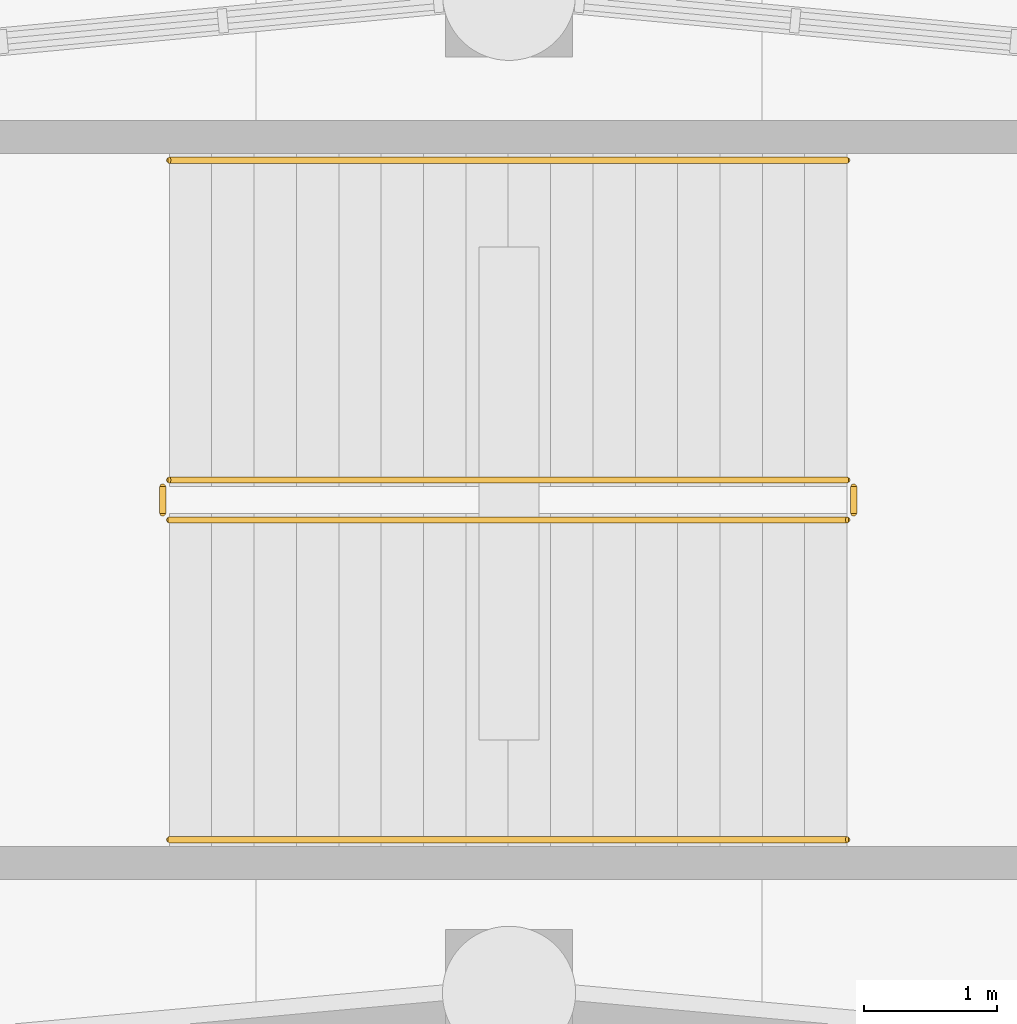
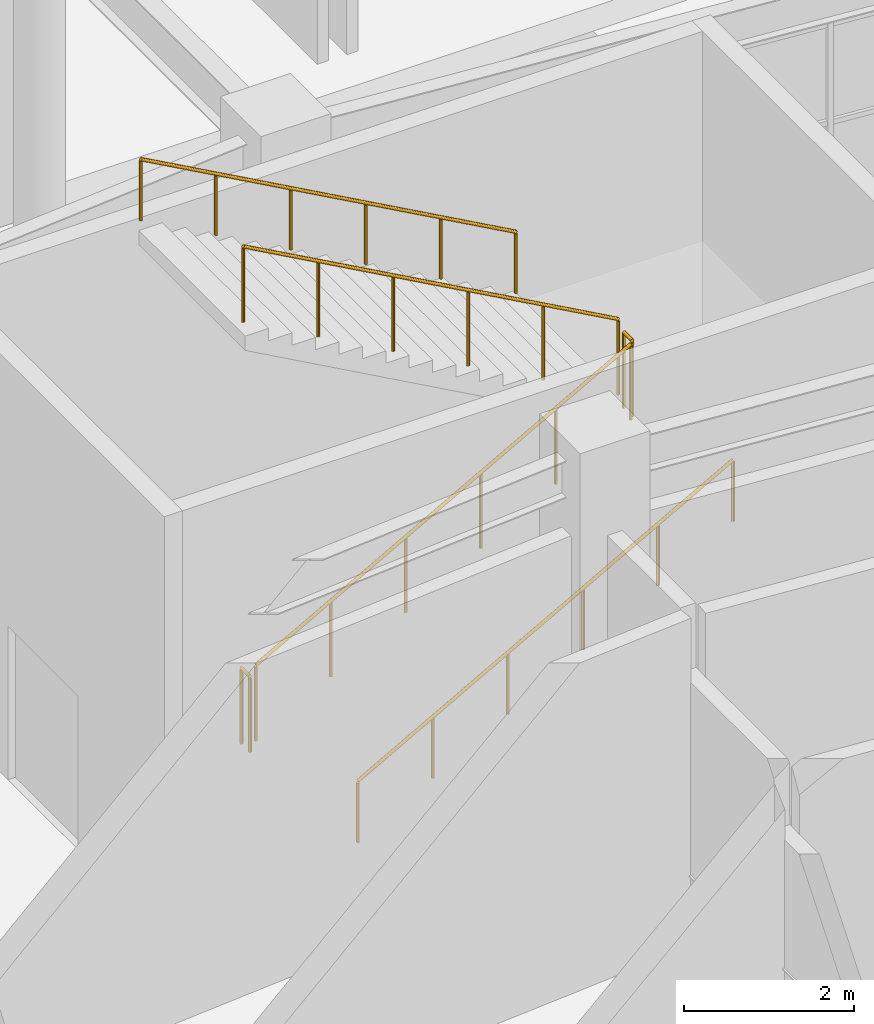
# One storey, part 113 of 121: 6 railings.
"""IFC4 building model written with IfcOpenShell, lengths in metres."""

import ifcopenshell
import ifcopenshell.guid

model = None  # the IFC model being written
_history = None  # IfcOwnerHistory: only IFC2X3 demands one
_inside = {}  # id of a spatial element -> (the spatial element, [elements in it])
_under = {}  # id of a project, library or spatial element -> (it, [spatial elements below it])
_declared = {}  # id of a project -> (the project, [libraries it declares])
_typed = {}  # id of a type object -> (the type object, [elements of that type])
_made_of = {}  # id of a material, layer set ... -> (it, [elements and type objects made of it])


def new_model(schema):
    """Start an empty IFC model of exactly this schema.

    Asked for "IFC4X3", IfcOpenShell would pick the latest addendum, in which some entities
    have other attributes; the version numbers below select the first issue.
    IFC2X3 requires an IfcOwnerHistory on every rooted entity: one is made here for all.
    """
    global model, _history
    if schema == "IFC4X3":
        model = ifcopenshell.file(schema_version=(4, 3, 0, 0))
    else:
        model = ifcopenshell.file(schema=schema)
    _inside.clear()
    _under.clear()
    _declared.clear()
    _typed.clear()
    _made_of.clear()
    _history = None
    if model.schema == "IFC2X3":
        org = make("IfcOrganization", Name="unknown")
        user = make(
            "IfcPersonAndOrganization",
            ThePerson=make("IfcPerson", FamilyName="unknown"),
            TheOrganization=org,
        )
        app = make(
            "IfcApplication",
            ApplicationDeveloper=org,
            Version="unknown",
            ApplicationFullName="unknown",
            ApplicationIdentifier="unknown",
        )
        _history = make(
            "IfcOwnerHistory",
            OwningUser=user,
            OwningApplication=app,
            ChangeAction="ADDED",
            CreationDate=0,
        )
    return model


def make(cls, **values):
    """One entity of the class cls with the attributes given. An attribute that is None is left unset."""
    return model.create_entity(
        cls, **{name: value for name, value in values.items() if value is not None}
    )


def rooted(cls, **values):
    """An entity with a GlobalId (a new one), such as an element, a storey or a relation."""
    return make(cls, GlobalId=ifcopenshell.guid.new(), OwnerHistory=_history, **values)


def si_unit(unit_type, name, prefix=None):
    """IfcSIUnit, for example si_unit("LENGTHUNIT", "METRE", prefix="MILLI")."""
    return make("IfcSIUnit", UnitType=unit_type, Prefix=prefix, Name=name)


def assignment(units):
    """IfcUnitAssignment: the units of a project."""
    return None if units is None else make("IfcUnitAssignment", Units=units)


def point(xyz):
    """IfcCartesianPoint."""
    return None if xyz is None else make("IfcCartesianPoint", Coordinates=xyz)


def direction(xyz):
    """IfcDirection."""
    return None if xyz is None else make("IfcDirection", DirectionRatios=xyz)


def frame(location, z_axis=None, x_axis=None):
    """IfcAxis2Placement3D, a coordinate frame: its origin and axes. An axis left out is left unset."""
    return make(
        "IfcAxis2Placement3D",
        Location=point(location),
        Axis=direction(z_axis),
        RefDirection=direction(x_axis),
    )


def frame_2d(location, x_axis=None):
    """IfcAxis2Placement2D, a coordinate frame in the plane: its origin and x axis."""
    return make(
        "IfcAxis2Placement2D", Location=point(location), RefDirection=direction(x_axis)
    )


def origin():
    """The frame at (0, 0, 0) with its axes left unset."""
    return frame((0.0, 0.0, 0.0))


def origin_2d():
    """The frame at (0, 0) in the plane with its x axis left unset."""
    return frame_2d((0.0, 0.0))


def place(relative_to, where):
    """IfcLocalPlacement: puts the frame where relative to a parent placement (None: the world)."""
    return make(
        "IfcLocalPlacement", PlacementRelTo=relative_to, RelativePlacement=where
    )


def context(
    kind, dimensions, precision=None, world=None, true_north=None, identifier=None
):
    """IfcGeometricRepresentationContext, for example the 3D "Model" context."""
    return make(
        "IfcGeometricRepresentationContext",
        ContextIdentifier=identifier,
        ContextType=kind,
        CoordinateSpaceDimension=dimensions,
        Precision=precision,
        WorldCoordinateSystem=world,
        TrueNorth=true_north,
    )


def subcontext(parent, identifier, kind, view, scale=None):
    """IfcGeometricRepresentationSubContext, for example "Body" below "Model"."""
    return make(
        "IfcGeometricRepresentationSubContext",
        ContextIdentifier=identifier,
        ContextType=kind,
        ParentContext=parent,
        TargetScale=scale,
        TargetView=view,
    )


def project(units=None, contexts=None):
    """IfcProject with its units and contexts."""
    return rooted(
        "IfcProject",
        Name="project",
        RepresentationContexts=contexts,
        UnitsInContext=assignment(units),
    )


def spatial(cls, under=None, at=None, **own):
    """A site, building, storey or space (cls), placed at a placement, below another one or the project."""
    s = rooted(cls, ObjectPlacement=at, **own)
    if under is not None:
        _under.setdefault(under.id(), (under, []))[1].append(s)
    return s


def profile(cls, at=None, kind="AREA", **sizes):
    """A parametric profile (cls). Its sizes go by their IFC names, for example OverallWidth=200.0."""
    return make(cls, ProfileType=kind, Position=at, **sizes)


def circle(**sizes):
    """IfcCircleProfileDef."""
    return profile("IfcCircleProfileDef", **sizes)


def extrude(swept, where, along, depth):
    """IfcExtrudedAreaSolid: the profile swept, set in the frame where, extruded along a direction by depth."""
    return make(
        "IfcExtrudedAreaSolid",
        SweptArea=swept,
        Position=where,
        ExtrudedDirection=direction(along),
        Depth=depth,
    )


def shape(context_of_items, identifier, shape_type, items):
    """IfcShapeRepresentation: the items that make up one representation, for example the "Body"."""
    return make(
        "IfcShapeRepresentation",
        ContextOfItems=context_of_items,
        RepresentationIdentifier=identifier,
        RepresentationType=shape_type,
        Items=items,
    )


def material(Name=None, Category=None):
    """IfcMaterial."""
    return make("IfcMaterial", Name=Name, Category=Category)


def made_of(thing, what):
    """Note that an element or type object is made of a material, layer set ...; save() writes the relation."""
    if what is not None:
        _made_of.setdefault(what.id(), (what, []))[1].append(thing)
    return thing


def type_object(cls, material=None, **own):
    """A type object (cls), such as IfcWallType, which elements share."""
    return made_of(rooted(cls, **own), material)


def element(
    cls,
    number,
    at=None,
    inside=None,
    cuts=None,
    type_object=None,
    material=None,
    context=None,
    identifier="Body",
    shape_type=None,
    held_by="IfcProductDefinitionShape",
    body=None,
    shapes=None,
    **own,
):
    """One element of the class cls, such as IfcWall. Its Tag is "e" and its number.

    at: its placement. inside: the storey or other place that contains it. cuts: it is an
    opening in that element (IfcRelVoidsElement). A single representation is given by context,
    identifier, shape_type and body (its items); several are given by shapes. held_by: the class
    of the entity that holds the representations. save() writes the other relations.
    """
    e = rooted(cls, Tag="e%d" % number, ObjectPlacement=at, **own)
    if body is not None:
        shapes = [shape(context, identifier, shape_type, body)]
    if shapes is not None:
        e.Representation = make(held_by, Representations=shapes)
    if inside is not None:
        _inside.setdefault(inside.id(), (inside, []))[1].append(e)
    if cuts is not None:
        rooted(
            "IfcRelVoidsElement", RelatingBuildingElement=cuts, RelatedOpeningElement=e
        )
    if type_object is not None:
        _typed.setdefault(type_object.id(), (type_object, []))[1].append(e)
    return made_of(e, material)


def aggregate(whole, parts):
    """IfcRelAggregates: a whole, such as a stair, and the parts it consists of."""
    return rooted("IfcRelAggregates", RelatingObject=whole, RelatedObjects=parts)


def save(model, path):
    """Write the relations noted so far, then the file.

    IfcRelAggregates (storeys below a building ...), IfcRelContainedInSpatialStructure (elements
    in a storey), IfcRelDefinesByType, IfcRelAssociatesMaterial and IfcRelDeclares: one each for
    every whole, place, type object, material and project.
    """
    for whole, parts in _under.values():
        aggregate(whole, parts)
    for where, things in _inside.values():
        rooted(
            "IfcRelContainedInSpatialStructure",
            RelatedElements=things,
            RelatingStructure=where,
        )
    for kind, things in _typed.values():
        rooted("IfcRelDefinesByType", RelatedObjects=things, RelatingType=kind)
    for what, things in _made_of.values():
        rooted("IfcRelAssociatesMaterial", RelatedObjects=things, RelatingMaterial=what)
    for by, libraries in _declared.values():
        rooted("IfcRelDeclares", RelatingContext=by, RelatedDefinitions=libraries)
    model.write(path)


model = new_model("IFC4")

# Units and contexts
model_context = context("Model", 3, precision=1e-05, world=origin(), true_north=direction((0.0, 1.0)))
body_context = subcontext(model_context, "Body", "Model", "MODEL_VIEW")
ifc_project = project(units=[si_unit("LENGTHUNIT", "METRE"), si_unit("AREAUNIT", "SQUARE_METRE"), si_unit("VOLUMEUNIT", "CUBIC_METRE"), si_unit("PLANEANGLEUNIT", "RADIAN"), si_unit("MASSUNIT", "GRAM", prefix="KILO")], contexts=[model_context])

# Site, building, storey
site_placement = place(None, origin())
site = spatial("IfcSite", under=ifc_project, at=site_placement, CompositionType="ELEMENT")
building_placement = place(site_placement, origin())
building = spatial("IfcBuilding", under=site, at=building_placement, Name="Cuetzalor Civic Arena", CompositionType="ELEMENT")
storey_placement = place(building_placement, origin())
storey = spatial("IfcBuildingStorey", under=building, at=storey_placement, Name="L00", CompositionType="ELEMENT", Elevation=0.0)

# Railings
ifc_material_1 = material(Name="Reseda-green architectural Steel S355 balustrade", Category="steel")
railing_type_1 = type_object("IfcRailingType", Name="InteriorVoidBalustrade_1100", PredefinedType="BALUSTRADE", material=ifc_material_1)
railing_1_placement = place(storey_placement, frame((-2.550048828125, 37.050048828125, 0.176513671875)))
element("IfcRailing", 1, at=railing_1_placement, inside=storey, type_object=railing_type_1, Name="L00 ST-03 stair guard 1", PredefinedType="BALUSTRADE", context=body_context, shape_type="SweptSolid", body=[
    extrude(circle(Radius=0.02392578125, at=origin_2d()), frame((0.0, 0.0, 1.0810546875), z_axis=(0.874394655587, 0.0, 0.485215401941), x_axis=(0.0, 1.0, 0.0)), (0.0, 0.0, 1.0), 5.819091796875),
    extrude(circle(Radius=0.02099609375, at=origin_2d()), origin(), (0.0, 0.0, 1.0), 1.056884765625),
    extrude(circle(Radius=0.02099609375, at=origin_2d()), frame((1.017578125, 0.0, 0.564697265625)), (0.0, 0.0, 1.0), 1.056884765625),
    extrude(circle(Radius=0.02099609375, at=origin_2d()), frame((2.03515625, 0.0, 1.12939453125)), (0.0, 0.0, 1.0), 1.056884765625),
    extrude(circle(Radius=0.02099609375, at=origin_2d()), frame((3.052978515625, 0.0, 1.694091796875)), (0.0, 0.0, 1.0), 1.056884765625),
    extrude(circle(Radius=0.02099609375, at=origin_2d()), frame((4.070556640625, 0.0, 2.2587890625)), (0.0, 0.0, 1.0), 1.056884765625),
    extrude(circle(Radius=0.02099609375, at=origin_2d()), frame((5.088134765625, 0.0, 2.823486328125)), (0.0, 0.0, 1.0), 1.056884765625),
])
railing_2_placement = place(storey_placement, frame((2.587890625, 37.10009765625, 3.0)))
element("IfcRailing", 2, at=railing_2_placement, inside=storey, type_object=railing_type_1, Name="L00 ST-03 stair guard 2", PredefinedType="BALUSTRADE", context=body_context, shape_type="SweptSolid", body=[
    extrude(circle(Radius=0.02392578125, at=origin_2d()), frame((0.0, 0.0, 1.0810546875), z_axis=(0.0, 1.0, 0.0), x_axis=(-1.0, 0.0, 0.0)), (0.0, 0.0, 1.0), 0.199951171875),
    extrude(circle(Radius=0.02099609375, at=origin_2d()), origin(), (0.0, 0.0, 1.0), 1.056884765625),
    extrude(circle(Radius=0.02099609375, at=origin_2d()), frame((0.0, 0.199951171875, 0.0)), (0.0, 0.0, 1.0), 1.056884765625),
])
railing_3_placement = place(storey_placement, frame((2.5380859375, 37.35009765625, 3.176513671875)))
element("IfcRailing", 3, at=railing_3_placement, inside=storey, type_object=railing_type_1, Name="L00 ST-03 stair guard 3", PredefinedType="BALUSTRADE", context=body_context, shape_type="SweptSolid", body=[
    extrude(circle(Radius=0.02392578125, at=origin_2d()), frame((0.0, 0.0, 1.0810546875), z_axis=(-0.874394655587, 0.0, 0.485215401941), x_axis=(0.0, -1.0, 0.0)), (0.0, 0.0, 1.0), 5.819091796875),
    extrude(circle(Radius=0.02099609375, at=origin_2d()), origin(), (0.0, 0.0, 1.0), 1.056884765625),
    extrude(circle(Radius=0.02099609375, at=origin_2d()), frame((-1.017578125, 0.0, 0.564697265625)), (0.0, 0.0, 1.0), 1.056884765625),
    extrude(circle(Radius=0.02099609375, at=origin_2d()), frame((-2.03515625, 0.0, 1.12939453125)), (0.0, 0.0, 1.0), 1.056884765625),
    extrude(circle(Radius=0.02099609375, at=origin_2d()), frame((-3.052978515625, 0.0, 1.694091796875)), (0.0, 0.0, 1.0), 1.056884765625),
    extrude(circle(Radius=0.02099609375, at=origin_2d()), frame((-4.070556640625, 0.0, 2.2587890625)), (0.0, 0.0, 1.0), 1.056884765625),
    extrude(circle(Radius=0.02099609375, at=origin_2d()), frame((-5.088134765625, 0.0, 2.823486328125)), (0.0, 0.0, 1.0), 1.056884765625),
])
railing_4_placement = place(storey_placement, frame((-2.60009765625, 37.10009765625, 0.0)))
element("IfcRailing", 4, at=railing_4_placement, inside=storey, type_object=railing_type_1, Name="L00 ST-03 stair guard 4", PredefinedType="BALUSTRADE", context=body_context, shape_type="SweptSolid", body=[
    extrude(circle(Radius=0.02392578125, at=origin_2d()), frame((0.0, 0.0, 1.0810546875), z_axis=(0.0, 1.0, 0.0), x_axis=(-1.0, 0.0, 0.0)), (0.0, 0.0, 1.0), 0.199951171875),
    extrude(circle(Radius=0.02099609375, at=origin_2d()), origin(), (0.0, 0.0, 1.0), 1.056884765625),
    extrude(circle(Radius=0.02099609375, at=origin_2d()), frame((0.0, 0.199951171875, 0.0)), (0.0, 0.0, 1.0), 1.056884765625),
])
ifc_material_2 = material(Name="Galvanised steel S355", Category="steel")
railing_type_2 = type_object("IfcRailingType", Name="StairPitchHandrail_900", PredefinedType="HANDRAIL", material=ifc_material_2)
railing_5_placement = place(storey_placement, frame((-2.550048828125, 34.64990234375, 0.176513671875)))
element("IfcRailing", 5, at=railing_5_placement, inside=storey, type_object=railing_type_2, Name="L00 ST-03 stair handrail 1", PredefinedType="HANDRAIL", context=body_context, shape_type="SweptSolid", body=[
    extrude(circle(Radius=0.02392578125, at=origin_2d()), frame((0.0, 0.0, 0.8759765625), z_axis=(0.874394655587, 0.0, 0.485215401941), x_axis=(0.0, 1.0, 0.0)), (0.0, 0.0, 1.0), 5.819091796875),
    extrude(circle(Radius=0.02099609375, at=origin_2d()), origin(), (0.0, 0.0, 1.0), 0.851806640625),
    extrude(circle(Radius=0.02099609375, at=origin_2d()), frame((1.017578125, 0.0, 0.564697265625)), (0.0, 0.0, 1.0), 0.851806640625),
    extrude(circle(Radius=0.02099609375, at=origin_2d()), frame((2.03515625, 0.0, 1.12939453125)), (0.0, 0.0, 1.0), 0.851806640625),
    extrude(circle(Radius=0.02099609375, at=origin_2d()), frame((3.052978515625, 0.0, 1.694091796875)), (0.0, 0.0, 1.0), 0.851806640625),
    extrude(circle(Radius=0.02099609375, at=origin_2d()), frame((4.070556640625, 0.0, 2.2587890625)), (0.0, 0.0, 1.0), 0.851806640625),
    extrude(circle(Radius=0.02099609375, at=origin_2d()), frame((5.088134765625, 0.0, 2.823486328125)), (0.0, 0.0, 1.0), 0.851806640625),
])
railing_6_placement = place(storey_placement, frame((2.5380859375, 39.75, 3.176513671875)))
element("IfcRailing", 6, at=railing_6_placement, inside=storey, type_object=railing_type_2, Name="L00 ST-03 stair handrail 2", PredefinedType="HANDRAIL", context=body_context, shape_type="SweptSolid", body=[
    extrude(circle(Radius=0.02392578125, at=origin_2d()), frame((0.0, 0.0, 0.8759765625), z_axis=(-0.874394655587, 0.0, 0.485215401941), x_axis=(0.0, -1.0, 0.0)), (0.0, 0.0, 1.0), 5.819091796875),
    extrude(circle(Radius=0.02099609375, at=origin_2d()), origin(), (0.0, 0.0, 1.0), 0.851806640625),
    extrude(circle(Radius=0.02099609375, at=origin_2d()), frame((-1.017578125, 0.0, 0.564697265625)), (0.0, 0.0, 1.0), 0.851806640625),
    extrude(circle(Radius=0.02099609375, at=origin_2d()), frame((-2.03515625, 0.0, 1.12939453125)), (0.0, 0.0, 1.0), 0.851806640625),
    extrude(circle(Radius=0.02099609375, at=origin_2d()), frame((-3.052978515625, 0.0, 1.694091796875)), (0.0, 0.0, 1.0), 0.851806640625),
    extrude(circle(Radius=0.02099609375, at=origin_2d()), frame((-4.070556640625, 0.0, 2.2587890625)), (0.0, 0.0, 1.0), 0.851806640625),
    extrude(circle(Radius=0.02099609375, at=origin_2d()), frame((-5.088134765625, 0.0, 2.823486328125)), (0.0, 0.0, 1.0), 0.851806640625),
])

save(model, "model.ifc")
